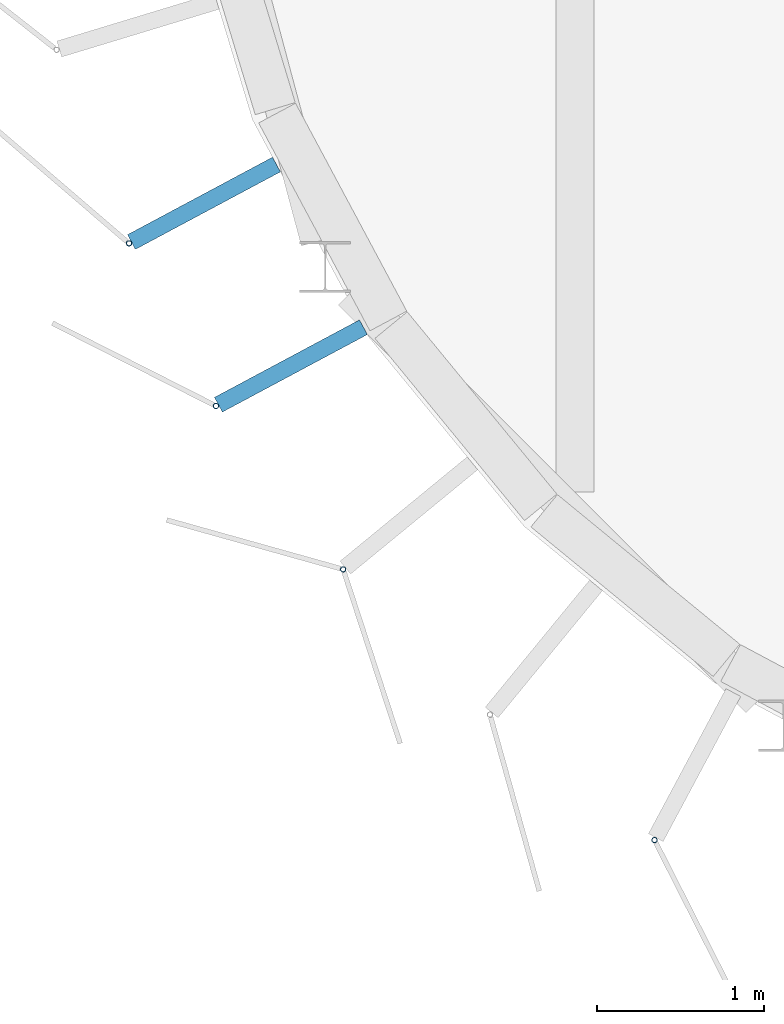
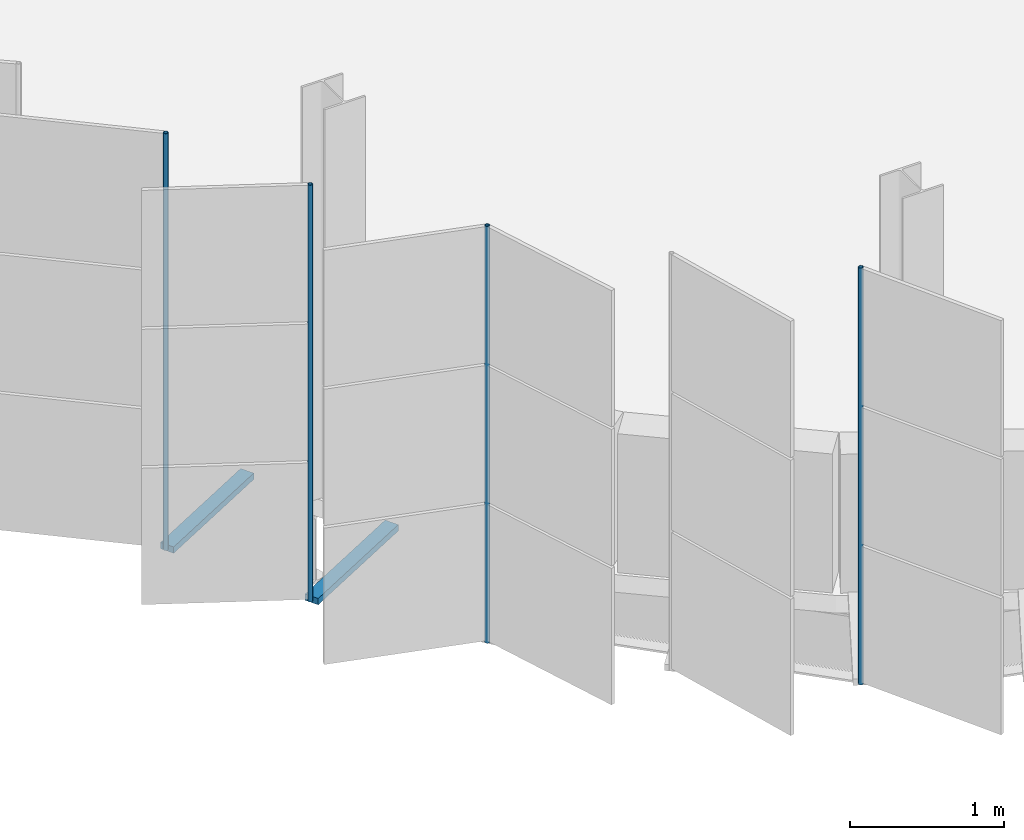
# One storey, part 68 of 199: 6 discrete accessories.
"""IFC4 building model written with IfcOpenShell, lengths in metres."""

import ifcopenshell
import ifcopenshell.guid

model = None  # the IFC model being written
_history = None  # IfcOwnerHistory: only IFC2X3 demands one
_inside = {}  # id of a spatial element -> (the spatial element, [elements in it])
_under = {}  # id of a project, library or spatial element -> (it, [spatial elements below it])
_declared = {}  # id of a project -> (the project, [libraries it declares])
_typed = {}  # id of a type object -> (the type object, [elements of that type])
_made_of = {}  # id of a material, layer set ... -> (it, [elements and type objects made of it])


def new_model(schema):
    """Start an empty IFC model of exactly this schema.

    Asked for "IFC4X3", IfcOpenShell would pick the latest addendum, in which some entities
    have other attributes; the version numbers below select the first issue.
    IFC2X3 requires an IfcOwnerHistory on every rooted entity: one is made here for all.
    """
    global model, _history
    if schema == "IFC4X3":
        model = ifcopenshell.file(schema_version=(4, 3, 0, 0))
    else:
        model = ifcopenshell.file(schema=schema)
    _inside.clear()
    _under.clear()
    _declared.clear()
    _typed.clear()
    _made_of.clear()
    _history = None
    if model.schema == "IFC2X3":
        org = make("IfcOrganization", Name="unknown")
        user = make(
            "IfcPersonAndOrganization",
            ThePerson=make("IfcPerson", FamilyName="unknown"),
            TheOrganization=org,
        )
        app = make(
            "IfcApplication",
            ApplicationDeveloper=org,
            Version="unknown",
            ApplicationFullName="unknown",
            ApplicationIdentifier="unknown",
        )
        _history = make(
            "IfcOwnerHistory",
            OwningUser=user,
            OwningApplication=app,
            ChangeAction="ADDED",
            CreationDate=0,
        )
    return model


def make(cls, **values):
    """One entity of the class cls with the attributes given. An attribute that is None is left unset."""
    return model.create_entity(
        cls, **{name: value for name, value in values.items() if value is not None}
    )


def rooted(cls, **values):
    """An entity with a GlobalId (a new one), such as an element, a storey or a relation."""
    return make(cls, GlobalId=ifcopenshell.guid.new(), OwnerHistory=_history, **values)


def si_unit(unit_type, name, prefix=None):
    """IfcSIUnit, for example si_unit("LENGTHUNIT", "METRE", prefix="MILLI")."""
    return make("IfcSIUnit", UnitType=unit_type, Prefix=prefix, Name=name)


def assignment(units):
    """IfcUnitAssignment: the units of a project."""
    return None if units is None else make("IfcUnitAssignment", Units=units)


def point(xyz):
    """IfcCartesianPoint."""
    return None if xyz is None else make("IfcCartesianPoint", Coordinates=xyz)


def direction(xyz):
    """IfcDirection."""
    return None if xyz is None else make("IfcDirection", DirectionRatios=xyz)


def frame(location, z_axis=None, x_axis=None):
    """IfcAxis2Placement3D, a coordinate frame: its origin and axes. An axis left out is left unset."""
    return make(
        "IfcAxis2Placement3D",
        Location=point(location),
        Axis=direction(z_axis),
        RefDirection=direction(x_axis),
    )


def frame_2d(location, x_axis=None):
    """IfcAxis2Placement2D, a coordinate frame in the plane: its origin and x axis."""
    return make(
        "IfcAxis2Placement2D", Location=point(location), RefDirection=direction(x_axis)
    )


def origin():
    """The frame at (0, 0, 0) with its axes left unset."""
    return frame((0.0, 0.0, 0.0))


def origin_2d():
    """The frame at (0, 0) in the plane with its x axis left unset."""
    return frame_2d((0.0, 0.0))


def place(relative_to, where):
    """IfcLocalPlacement: puts the frame where relative to a parent placement (None: the world)."""
    return make(
        "IfcLocalPlacement", PlacementRelTo=relative_to, RelativePlacement=where
    )


def context(
    kind, dimensions, precision=None, world=None, true_north=None, identifier=None
):
    """IfcGeometricRepresentationContext, for example the 3D "Model" context."""
    return make(
        "IfcGeometricRepresentationContext",
        ContextIdentifier=identifier,
        ContextType=kind,
        CoordinateSpaceDimension=dimensions,
        Precision=precision,
        WorldCoordinateSystem=world,
        TrueNorth=true_north,
    )


def subcontext(parent, identifier, kind, view, scale=None):
    """IfcGeometricRepresentationSubContext, for example "Body" below "Model"."""
    return make(
        "IfcGeometricRepresentationSubContext",
        ContextIdentifier=identifier,
        ContextType=kind,
        ParentContext=parent,
        TargetScale=scale,
        TargetView=view,
    )


def project(units=None, contexts=None):
    """IfcProject with its units and contexts."""
    return rooted(
        "IfcProject",
        Name="project",
        RepresentationContexts=contexts,
        UnitsInContext=assignment(units),
    )


def spatial(cls, under=None, at=None, **own):
    """A site, building, storey or space (cls), placed at a placement, below another one or the project."""
    s = rooted(cls, ObjectPlacement=at, **own)
    if under is not None:
        _under.setdefault(under.id(), (under, []))[1].append(s)
    return s


def profile(cls, at=None, kind="AREA", **sizes):
    """A parametric profile (cls). Its sizes go by their IFC names, for example OverallWidth=200.0."""
    return make(cls, ProfileType=kind, Position=at, **sizes)


def rectangle(**sizes):
    """IfcRectangleProfileDef."""
    return profile("IfcRectangleProfileDef", **sizes)


def hollow_circle(**sizes):
    """IfcCircleHollowProfileDef."""
    return profile("IfcCircleHollowProfileDef", **sizes)


def extrude(swept, where, along, depth):
    """IfcExtrudedAreaSolid: the profile swept, set in the frame where, extruded along a direction by depth."""
    return make(
        "IfcExtrudedAreaSolid",
        SweptArea=swept,
        Position=where,
        ExtrudedDirection=direction(along),
        Depth=depth,
    )


def shape(context_of_items, identifier, shape_type, items):
    """IfcShapeRepresentation: the items that make up one representation, for example the "Body"."""
    return make(
        "IfcShapeRepresentation",
        ContextOfItems=context_of_items,
        RepresentationIdentifier=identifier,
        RepresentationType=shape_type,
        Items=items,
    )


def material(Name=None, Category=None):
    """IfcMaterial."""
    return make("IfcMaterial", Name=Name, Category=Category)


def material_profile(
    of_material, cross_section, Name=None, Category=None, Priority=None
):
    """IfcMaterialProfile: a cross section and its material."""
    return make(
        "IfcMaterialProfile",
        Name=Name,
        Material=of_material,
        Profile=cross_section,
        Priority=Priority,
        Category=Category,
    )


def profile_set(profiles, Name=None, composite=None):
    """IfcMaterialProfileSet."""
    return make(
        "IfcMaterialProfileSet",
        Name=Name,
        MaterialProfiles=profiles,
        CompositeProfile=composite,
    )


def made_of(thing, what):
    """Note that an element or type object is made of a material, layer set ...; save() writes the relation."""
    if what is not None:
        _made_of.setdefault(what.id(), (what, []))[1].append(thing)
    return thing


def type_object(cls, material=None, **own):
    """A type object (cls), such as IfcWallType, which elements share."""
    return made_of(rooted(cls, **own), material)


def element(
    cls,
    number,
    at=None,
    inside=None,
    cuts=None,
    type_object=None,
    material=None,
    context=None,
    identifier="Body",
    shape_type=None,
    held_by="IfcProductDefinitionShape",
    body=None,
    shapes=None,
    **own,
):
    """One element of the class cls, such as IfcWall. Its Tag is "e" and its number.

    at: its placement. inside: the storey or other place that contains it. cuts: it is an
    opening in that element (IfcRelVoidsElement). A single representation is given by context,
    identifier, shape_type and body (its items); several are given by shapes. held_by: the class
    of the entity that holds the representations. save() writes the other relations.
    """
    e = rooted(cls, Tag="e%d" % number, ObjectPlacement=at, **own)
    if body is not None:
        shapes = [shape(context, identifier, shape_type, body)]
    if shapes is not None:
        e.Representation = make(held_by, Representations=shapes)
    if inside is not None:
        _inside.setdefault(inside.id(), (inside, []))[1].append(e)
    if cuts is not None:
        rooted(
            "IfcRelVoidsElement", RelatingBuildingElement=cuts, RelatedOpeningElement=e
        )
    if type_object is not None:
        _typed.setdefault(type_object.id(), (type_object, []))[1].append(e)
    return made_of(e, material)


def aggregate(whole, parts):
    """IfcRelAggregates: a whole, such as a stair, and the parts it consists of."""
    return rooted("IfcRelAggregates", RelatingObject=whole, RelatedObjects=parts)


def save(model, path):
    """Write the relations noted so far, then the file.

    IfcRelAggregates (storeys below a building ...), IfcRelContainedInSpatialStructure (elements
    in a storey), IfcRelDefinesByType, IfcRelAssociatesMaterial and IfcRelDeclares: one each for
    every whole, place, type object, material and project.
    """
    for whole, parts in _under.values():
        aggregate(whole, parts)
    for where, things in _inside.values():
        rooted(
            "IfcRelContainedInSpatialStructure",
            RelatedElements=things,
            RelatingStructure=where,
        )
    for kind, things in _typed.values():
        rooted("IfcRelDefinesByType", RelatedObjects=things, RelatingType=kind)
    for what, things in _made_of.values():
        rooted("IfcRelAssociatesMaterial", RelatedObjects=things, RelatingMaterial=what)
    for by, libraries in _declared.values():
        rooted("IfcRelDeclares", RelatingContext=by, RelatedDefinitions=libraries)
    model.write(path)


model = new_model("IFC4")

# Units and contexts
model_context = context("Model", 3, precision=1e-05, world=origin(), true_north=direction((0.0, 1.0)))
body_context = subcontext(model_context, "Body", "Model", "MODEL_VIEW")
ifc_project = project(units=[si_unit("LENGTHUNIT", "METRE"), si_unit("AREAUNIT", "SQUARE_METRE"), si_unit("VOLUMEUNIT", "CUBIC_METRE"), si_unit("PLANEANGLEUNIT", "RADIAN"), si_unit("MASSUNIT", "GRAM", prefix="KILO")], contexts=[model_context])

# Site, building, storey
site_placement = place(None, origin())
site = spatial("IfcSite", under=ifc_project, at=site_placement, CompositionType="ELEMENT")
building_placement = place(site_placement, origin())
building = spatial("IfcBuilding", under=site, at=building_placement, Name="Parallax Yard Mobility Hub", CompositionType="ELEMENT")
storey_placement = place(building_placement, frame((0.0, 0.0, 9.89990234375)))
storey = spatial("IfcBuildingStorey", under=building, at=storey_placement, Name="L03", CompositionType="ELEMENT", Elevation=9.89990234375)

# Discrete accessories
ifc_material_1 = material(Name="Steel ASTM A36, hot-dip galvanised", Category="steel")
discrete_accessory_type_1 = type_object("IfcDiscreteAccessoryType", Name="Hinge bracket plate 100x50", PredefinedType="BRACKET", material=ifc_material_1)
for number, where, z_axis, x_axis, name in (
    (1, (22.780029296875, 116.631103515625, -0.02490234375), (0.0, 0.0, 1.0), (-0.881921264348, -0.471396736826, 0.0), "Hinge bracket plate bay 72.4 level L03"),
    (2, (23.30029296875, 115.65771484375, -0.02490234375), (0.0, 0.0, 1.0), (-0.881921264348, -0.471396736826, 0.0), "Hinge bracket plate bay 72.5 level L03"),
):
    element("IfcDiscreteAccessory", number, at=place(storey_placement, frame(where, z_axis=z_axis, x_axis=x_axis)), inside=storey, type_object=discrete_accessory_type_1, Name=name, PredefinedType="BRACKET", context=body_context, shape_type="SweptSolid", body=[
        extrude(rectangle(XDim=0.984130859375, YDim=0.10009765625, at=origin_2d()), origin(), (0.0, 0.0, 1.0), 0.050048828125),
    ])
ifc_material_2 = material(Name="Steel ASTM A500 Gr C, hot-dip galvanised", Category="steel")
ifc_material_profile = material_profile(ifc_material_2, hollow_circle(Radius=0.016845703125, WallThickness=0.003173828125, at=origin_2d()), Name="CHS 33.7x3.2")
ifc_profile_set = profile_set([ifc_material_profile], Name="Steel ASTM A500 Gr C, hot-dip galvanised")
discrete_accessory_type_2 = type_object("IfcDiscreteAccessoryType", Name="Hinge post CHS 33.7x3.2", PredefinedType="BRACKET", material=ifc_profile_set)
for number, where, z_axis, x_axis, name in (
    (3, (22.331787109375, 116.391357421875, 0.0), (0.0, 0.0, 1.0), (1.0, 0.0, 0.0), "Hinge post bay 72.4 level L03"),
    (4, (22.85205078125, 115.418212890625, 0.0), (0.0, 0.0, 1.0), (1.0, 0.0, 0.0), "Hinge post bay 72.5 level L03"),
    (5, (23.613037109375, 114.44091796875, 0.0), (0.0, 0.0, 1.0), (1.0, 0.0, 0.0), "Hinge post bay 72.6 level L03"),
    (6, (25.475830078125, 112.821044921875, 0.0), (0.0, 0.0, 1.0), (1.0, 0.0, 0.0), "Hinge post bay 72.8 level L03"),
):
    element("IfcDiscreteAccessory", number, at=place(storey_placement, frame(where, z_axis=z_axis, x_axis=x_axis)), inside=storey, type_object=discrete_accessory_type_2, Name=name, PredefinedType="BRACKET", context=body_context, shape_type="SweptSolid", body=[
        extrude(hollow_circle(Radius=0.016845703125, WallThickness=0.003173828125, at=origin_2d()), origin(), (0.0, 0.0, 1.0), 3.300048828125),
    ])

save(model, "model.ifc")
